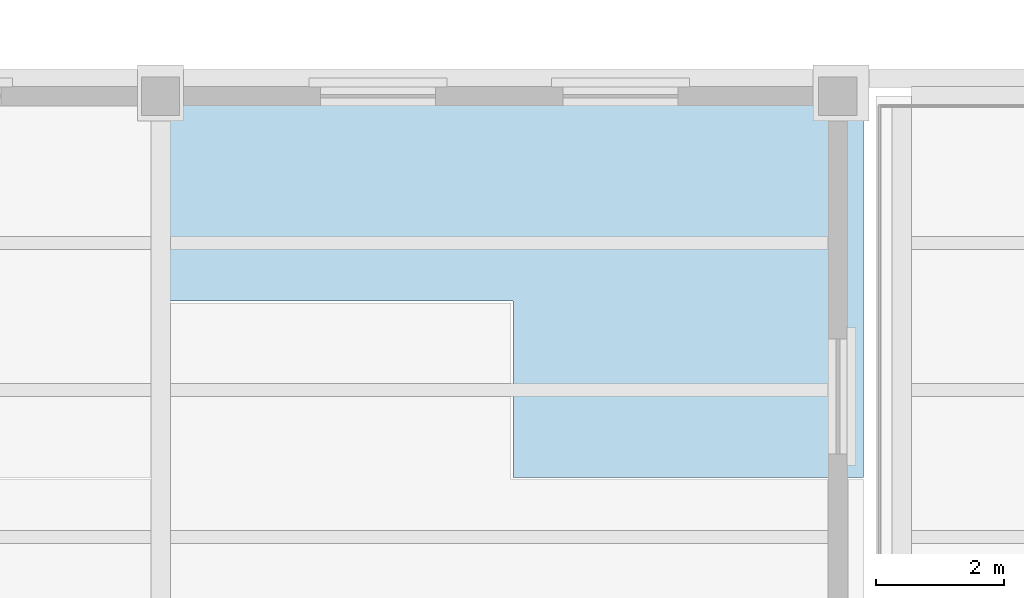
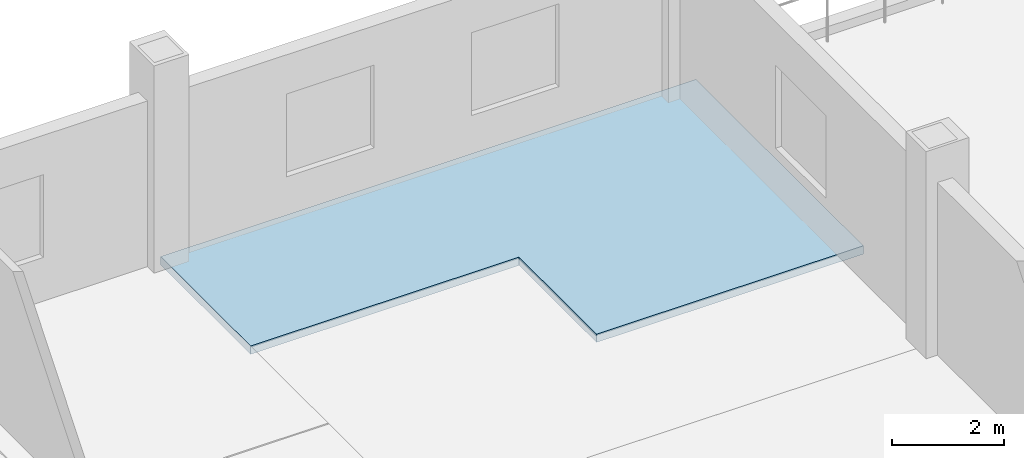
# One storey, part 111 of 156: 1 slab.
"""IFC4 building model written with IfcOpenShell, lengths in metres."""

from ifc_helpers import new_model, si_unit, direction, frame, origin, place, context, subcontext, project, spatial, polyline, outline, extrude, material, layer, layer_set, type_object, element, save


model = new_model("IFC4")

# Units and contexts
model_context = context("Model", 3, precision=1e-05, world=origin(), true_north=direction((0.0, 1.0)))
body_context = subcontext(model_context, "Body", "Model", "MODEL_VIEW")
ifc_project = project(units=[si_unit("LENGTHUNIT", "METRE"), si_unit("AREAUNIT", "SQUARE_METRE"), si_unit("VOLUMEUNIT", "CUBIC_METRE"), si_unit("PLANEANGLEUNIT", "RADIAN"), si_unit("MASSUNIT", "GRAM", prefix="KILO")], contexts=[model_context])

# Site, building, storey
site_placement = place(None, origin())
site = spatial("IfcSite", under=ifc_project, at=site_placement, CompositionType="ELEMENT")
building_placement = place(site_placement, origin())
building = spatial("IfcBuilding", under=site, at=building_placement, Name="Caurita Quay Ferry Terminal", CompositionType="ELEMENT")
storey_placement = place(building_placement, frame((0.0, 0.0, 5.39990234375)))
storey = spatial("IfcBuildingStorey", under=building, at=storey_placement, Name="L01", CompositionType="ELEMENT", Elevation=5.39990234375)

# Slab
ifc_material = material(Name="Reinforced concrete C35/45", Category="concrete")
ifc_layer = layer(ifc_material, 0.179931640625, Name="Reinforced concrete floor slab 180 mm")
ifc_layer_set = layer_set([ifc_layer], Name="Reinforced concrete C35/45")
slab_type = type_object("IfcSlabType", Name="SLB-VD-180", PredefinedType="FLOOR", material=ifc_layer_set)
slab_placement = place(storey_placement, frame((0.0, 0.0, -0.179931640625)))
element("IfcSlab", 1, at=slab_placement, inside=storey, type_object=slab_type, Name="L01 V4W-FLR Slab 09B", PredefinedType="FLOOR", context=body_context, shape_type="SweptSolid", body=[
    extrude(outline(polyline([(126.715087890625, 111.034912109375), (132.199951171875, 111.034912109375), (132.199951171875, 117.0), (121.199951171875, 117.0), (121.199951171875, 113.794921875), (126.715087890625, 113.794921875), (126.715087890625, 111.034912109375)])), origin(), (0.0, 0.0, 1.0), 0.179931640625),
])

save(model, "model.ifc")
